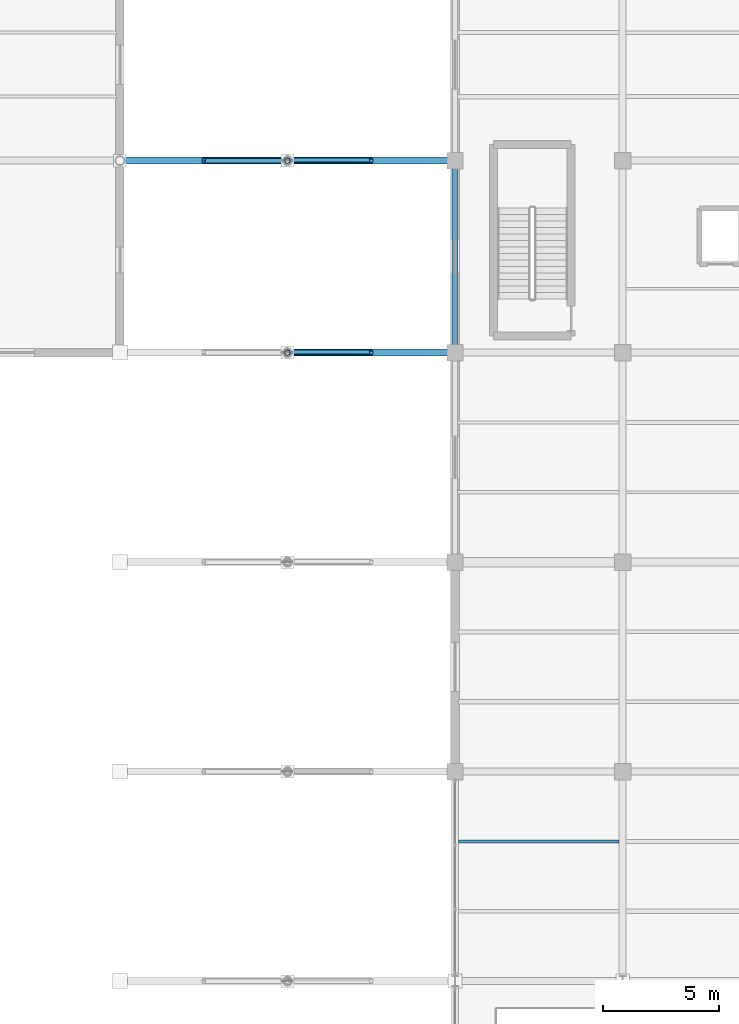
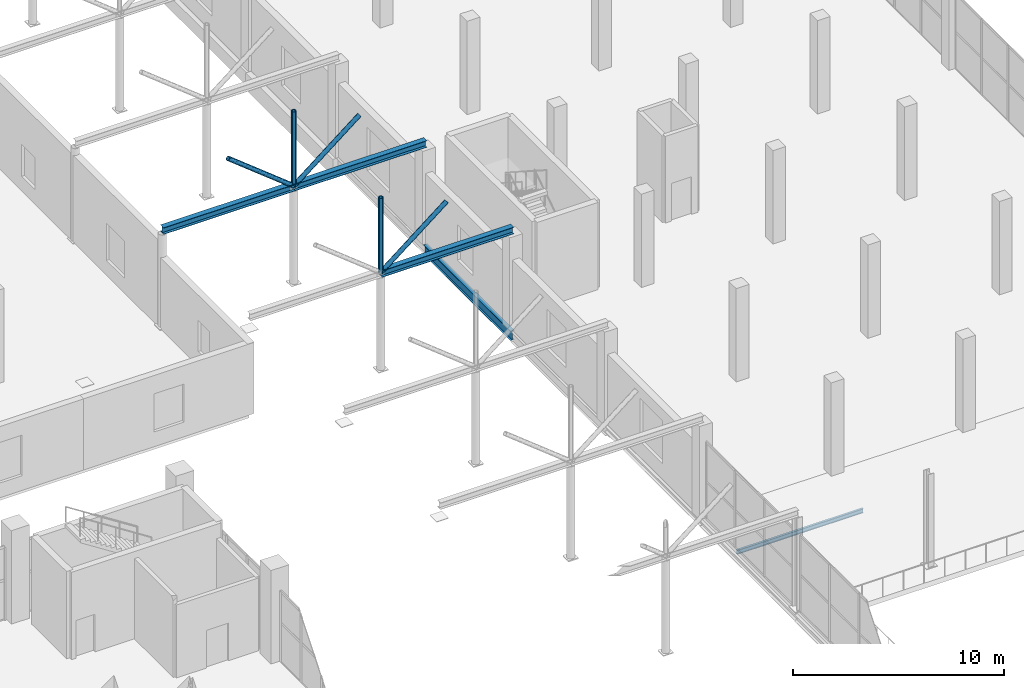
# One storey, part 62 of 147: 5 beams, 5 members.
"""IFC4 building model written with IfcOpenShell, lengths in metres."""

from ifc_helpers import new_model, si_unit, direction, frame, origin, origin_2d, place, context, subcontext, project, spatial, hollow_circle, i_section, extrude, material, material_profile, profile_set, type_object, element, save


model = new_model("IFC4")

# Units and contexts
model_context = context("Model", 3, precision=1e-05, world=origin(), true_north=direction((0.0, 1.0)))
body_context = subcontext(model_context, "Body", "Model", "MODEL_VIEW")
ifc_project = project(units=[si_unit("LENGTHUNIT", "METRE"), si_unit("AREAUNIT", "SQUARE_METRE"), si_unit("VOLUMEUNIT", "CUBIC_METRE"), si_unit("PLANEANGLEUNIT", "RADIAN"), si_unit("MASSUNIT", "GRAM", prefix="KILO")], contexts=[model_context])

# Site, building, storey
site_placement = place(None, origin())
site = spatial("IfcSite", under=ifc_project, at=site_placement, CompositionType="ELEMENT")
building_placement = place(site_placement, origin())
building = spatial("IfcBuilding", under=site, at=building_placement, Name="Sundgate Opera House", CompositionType="ELEMENT")
storey_placement = place(building_placement, frame((0.0, 0.0, 6.0)))
storey = spatial("IfcBuildingStorey", under=building, at=storey_placement, Name="L01", CompositionType="ELEMENT", Elevation=6.0)

# Beams
ifc_material_1 = material(Name="Steel S355J2", Category="steel")
ifc_material_profile_1 = material_profile(ifc_material_1, i_section(OverallWidth=0.300048828125, OverallDepth=0.389892578125, WebThickness=0.010986328125, FlangeThickness=0.01904296875, at=origin_2d()), Name="HEA 400")
ifc_profile_set_1 = profile_set([ifc_material_profile_1], Name="Steel S355J2")
beam_type_1 = type_object("IfcBeamType", Name="BM-GR-HEA400", PredefinedType="BEAM", material=ifc_profile_set_1)
for number, where, z_axis, x_axis, name in (
    (1, (88.199951171875, 87.0, 5.5849609375), (1.0, 0.0, 0.0), (0.0, 1.0, 0.0), "L01 Passage Arch Tie Beam B3412"),
    (2, (81.0, 95.25, 5.5849609375), (1.0, 0.0, 0.0), (0.0, 1.0, 0.0), "L01 Passage Arch Tie Beam B3413"),
    (3, (88.199951171875, 95.25, 5.5849609375), (1.0, 0.0, 0.0), (0.0, 1.0, 0.0), "L01 Passage Arch Tie Beam B3414"),
):
    element("IfcBeam", number, at=place(storey_placement, frame(where, z_axis=z_axis, x_axis=x_axis)), inside=storey, type_object=beam_type_1, Name=name, PredefinedType="BEAM", context=body_context, shape_type="SweptSolid", body=[
        extrude(i_section(OverallWidth=0.300048828125, OverallDepth=0.389892578125, WebThickness=0.010986328125, FlangeThickness=0.01904296875, at=origin_2d()), origin(), (0.0, 0.0, 1.0), 7.199951171875),
    ])
ifc_material_2 = material(Name="Steel S355J2", Category="steel")
ifc_material_profile_2 = material_profile(ifc_material_2, i_section(OverallWidth=0.2099609375, OverallDepth=0.550048828125, WebThickness=0.010986328125, FlangeThickness=0.01708984375, at=origin_2d()), Name="IPE 550")
ifc_profile_set_2 = profile_set([ifc_material_profile_2], Name="Steel S355J2")
beam_type_2 = type_object("IfcBeamType", Name="BM-GR-IPE550", PredefinedType="BEAM", material=ifc_profile_set_2)
beam_1_placement = place(storey_placement, frame((95.39990234375, 87.0, -0.574951171875), z_axis=(0.0, 1.0, 0.0), x_axis=(-1.0, 0.0, 0.0)))
element("IfcBeam", 4, at=beam_1_placement, inside=storey, type_object=beam_type_2, Name="L01 Primary N-S Girder B1153", PredefinedType="BEAM", context=body_context, shape_type="SweptSolid", body=[
    extrude(i_section(OverallWidth=0.2099609375, OverallDepth=0.550048828125, WebThickness=0.010986328125, FlangeThickness=0.01708984375, at=origin_2d()), origin(), (0.0, 0.0, 1.0), 8.25),
])
ifc_material_3 = material(Name="Steel S355J2", Category="steel")
ifc_material_profile_3 = material_profile(ifc_material_3, i_section(OverallWidth=0.1201171875, OverallDepth=0.239990234375, WebThickness=0.006103515625, FlangeThickness=0.009765625, at=origin_2d()), Name="IPE 240")
ifc_profile_set_3 = profile_set([ifc_material_profile_3], Name="Steel S355J2")
beam_type_3 = type_object("IfcBeamType", Name="BM-JS-IPE240", PredefinedType="JOIST", material=ifc_profile_set_3)
beam_2_placement = place(storey_placement, frame((95.550048828125, 66.0, -0.419921875), z_axis=(1.0, 0.0, 0.0), x_axis=(0.0, 1.0, 0.0)))
element("IfcBeam", 5, at=beam_2_placement, inside=storey, type_object=beam_type_3, Name="L01 Secondary Floor Joist B1595", PredefinedType="JOIST", context=body_context, shape_type="SweptSolid", body=[
    extrude(i_section(OverallWidth=0.1201171875, OverallDepth=0.239990234375, WebThickness=0.006103515625, FlangeThickness=0.009765625, at=origin_2d()), origin(), (0.0, 0.0, 1.0), 6.89990234375),
])

# Members
ifc_material_4 = material(Name="Steel S355J2", Category="steel")
ifc_material_profile_4 = material_profile(ifc_material_4, hollow_circle(Radius=0.122314453125, WallThickness=0.012451171875, at=origin_2d()), Name="CHS 244.5x12.5")
ifc_profile_set_4 = profile_set([ifc_material_profile_4], Name="Steel S355J2")
member_type = type_object("IfcMemberType", Name="MB-STRUT-CHS244", PredefinedType="STRUT", material=ifc_profile_set_4)
member_1_placement = place(storey_placement, frame((88.199951171875, 87.0, 5.594970703125), z_axis=(0.783526223691, 0.0, 0.621358718285), x_axis=(0.0, 1.0, 0.0)))
element("IfcMember", 6, at=member_1_placement, inside=storey, type_object=member_type, Name="Passage Arch Spandrel Strut M0347", PredefinedType="STRUT", context=body_context, shape_type="SweptSolid", body=[
    extrude(hollow_circle(Radius=0.122314453125, WallThickness=0.012451171875, at=origin_2d()), origin(), (0.0, 0.0, 1.0), 4.5947265625),
])
member_2_placement = place(storey_placement, frame((88.199951171875, 87.0, 5.594970703125), z_axis=(0.0, 0.0, 1.0), x_axis=(1.0, 0.0, 0.0)))
element("IfcMember", 7, at=member_2_placement, inside=storey, type_object=member_type, Name="Passage Arch Crown Post M0348", PredefinedType="STRUT", context=body_context, shape_type="SweptSolid", body=[
    extrude(hollow_circle(Radius=0.122314453125, WallThickness=0.012451171875, at=origin_2d()), origin(), (0.0, 0.0, 1.0), 4.35498046875),
])
member_3_placement = place(storey_placement, frame((88.199951171875, 95.25, 5.594970703125), z_axis=(-0.78350570776, 0.0, 0.621384587762), x_axis=(0.0, -1.0, 0.0)))
element("IfcMember", 8, at=member_3_placement, inside=storey, type_object=member_type, Name="Passage Arch Spandrel Strut M0353", PredefinedType="STRUT", context=body_context, shape_type="SweptSolid", body=[
    extrude(hollow_circle(Radius=0.122314453125, WallThickness=0.012451171875, at=origin_2d()), origin(), (0.0, 0.0, 1.0), 4.594482421875),
])
member_4_placement = place(storey_placement, frame((88.199951171875, 95.25, 5.594970703125), z_axis=(0.783526223691, 0.0, 0.621358718285), x_axis=(0.0, 1.0, 0.0)))
element("IfcMember", 9, at=member_4_placement, inside=storey, type_object=member_type, Name="Passage Arch Spandrel Strut M0354", PredefinedType="STRUT", context=body_context, shape_type="SweptSolid", body=[
    extrude(hollow_circle(Radius=0.122314453125, WallThickness=0.012451171875, at=origin_2d()), origin(), (0.0, 0.0, 1.0), 4.5947265625),
])
member_5_placement = place(storey_placement, frame((88.199951171875, 95.25, 5.594970703125), z_axis=(0.0, 0.0, 1.0), x_axis=(1.0, 0.0, 0.0)))
element("IfcMember", 10, at=member_5_placement, inside=storey, type_object=member_type, Name="Passage Arch Crown Post M0355", PredefinedType="STRUT", context=body_context, shape_type="SweptSolid", body=[
    extrude(hollow_circle(Radius=0.122314453125, WallThickness=0.012451171875, at=origin_2d()), origin(), (0.0, 0.0, 1.0), 4.35498046875),
])

save(model, "model.ifc")
